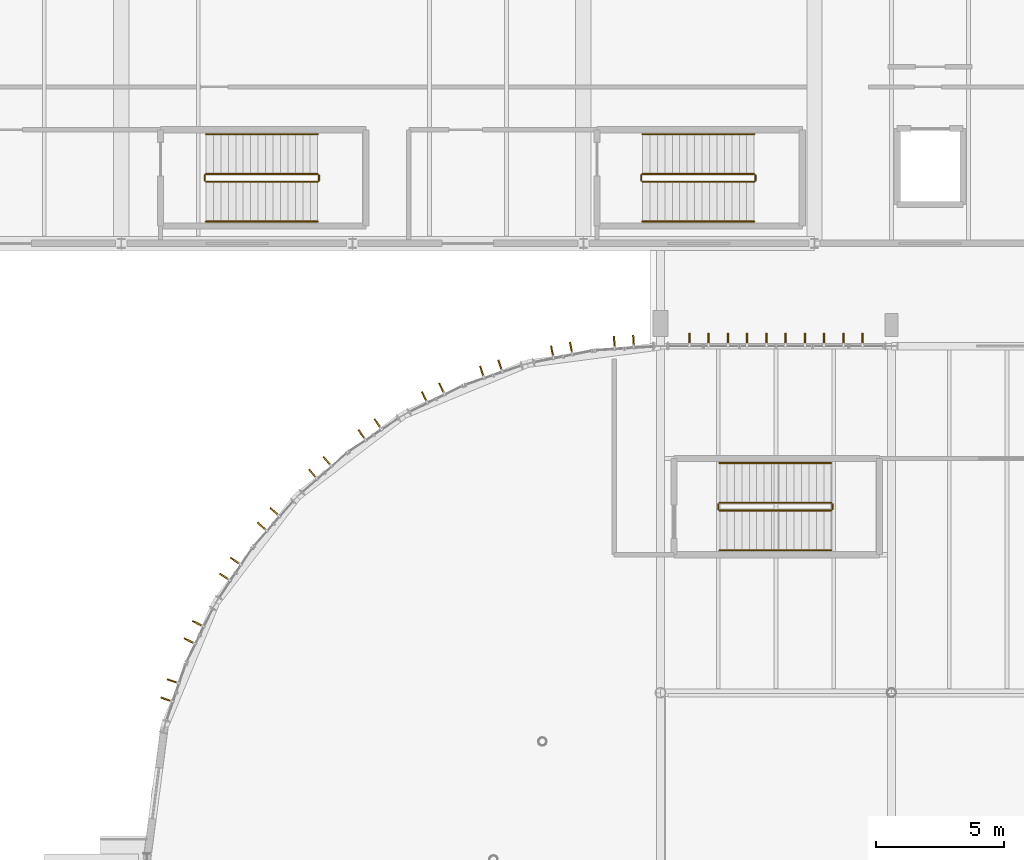
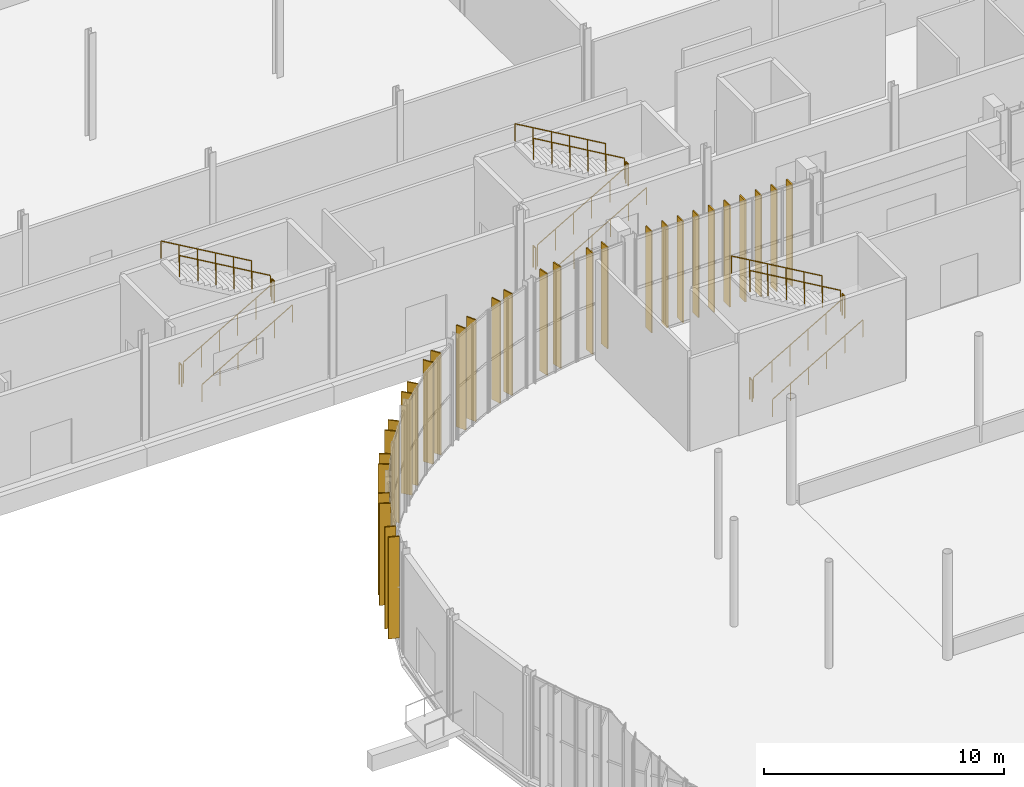
# One storey, part 148 of 158: 30 coverings, 18 railings.
"""IFC4 building model written with IfcOpenShell, lengths in metres."""

from ifc_helpers import new_model, si_unit, derived_unit, direction, frame, origin, origin_2d, place, context, subcontext, project, spatial, rectangle, circle, extrude, material, layer, layer_set, type_object, element, save


model = new_model("IFC4")

# Units and contexts
model_context = context("Model", 3, precision=1e-05, world=origin(), true_north=direction((0.0, 1.0)))
body_context = subcontext(model_context, "Body", "Model", "MODEL_VIEW")
ifc_project = project(units=[si_unit("LENGTHUNIT", "METRE"), si_unit("AREAUNIT", "SQUARE_METRE"), si_unit("VOLUMEUNIT", "CUBIC_METRE"), si_unit("PLANEANGLEUNIT", "RADIAN"), si_unit("MASSUNIT", "GRAM", prefix="KILO"), si_unit("THERMODYNAMICTEMPERATUREUNIT", "KELVIN"), si_unit("TIMEUNIT", "SECOND"), derived_unit("THERMALTRANSMITTANCEUNIT", [(si_unit("MASSUNIT", "GRAM", prefix="KILO"), 1), (si_unit("THERMODYNAMICTEMPERATUREUNIT", "KELVIN"), -1), (si_unit("TIMEUNIT", "SECOND"), -3)])], contexts=[model_context])

# Site, building, storey
site_placement = place(None, origin())
site = spatial("IfcSite", under=ifc_project, at=site_placement, CompositionType="ELEMENT")
building_placement = place(site_placement, origin())
building = spatial("IfcBuilding", under=site, at=building_placement, Name="Cambertide Market Hall", CompositionType="ELEMENT")
storey_placement = place(building_placement, origin())
storey = spatial("IfcBuildingStorey", under=building, at=storey_placement, Name="L01", CompositionType="ELEMENT", Elevation=0.0)

# Railings
ifc_material_1 = material(Name="Stainless Steel Grade 316", Category="metal")
railing_type_1 = type_object("IfcRailingType", Name="Stair Wall Handrail 900", PredefinedType="HANDRAIL", material=ifc_material_1)
railing_1_placement = place(storey_placement, frame((44.300048828125, 84.050048828125, 0.168701171875)))
element("IfcRailing", 1, at=railing_1_placement, inside=storey, type_object=railing_type_1, Name="Level 1 ST-01 stair handrail 1", PredefinedType="HANDRAIL", context=body_context, shape_type="SweptSolid", body=[
    extrude(circle(Radius=0.02392578125, at=origin_2d()), frame((0.0, 0.0, 0.8759765625), z_axis=(0.864311530196, 0.0, 0.502956835891), x_axis=(0.0, 1.0, 0.0)), (0.0, 0.0, 1.0), 5.03271484375),
    extrude(circle(Radius=0.02099609375, at=origin_2d()), origin(), (0.0, 0.0, 1.0), 0.851806640625),
    extrude(circle(Radius=0.02099609375, at=origin_2d()), frame((0.869873046875, 0.0, 0.50634765625)), (0.0, 0.0, 1.0), 0.851806640625),
    extrude(circle(Radius=0.02099609375, at=origin_2d()), frame((1.739990234375, 0.0, 1.012451171875)), (0.0, 0.0, 1.0), 0.851806640625),
    extrude(circle(Radius=0.02099609375, at=origin_2d()), frame((2.60986328125, 0.0, 1.518798828125)), (0.0, 0.0, 1.0), 0.851806640625),
    extrude(circle(Radius=0.02099609375, at=origin_2d()), frame((3.47998046875, 0.0, 2.02490234375)), (0.0, 0.0, 1.0), 0.851806640625),
    extrude(circle(Radius=0.02099609375, at=origin_2d()), frame((4.349853515625, 0.0, 2.53125)), (0.0, 0.0, 1.0), 0.851806640625),
])
railing_2_placement = place(storey_placement, frame((48.64990234375, 87.449951171875, 2.86865234375)))
element("IfcRailing", 2, at=railing_2_placement, inside=storey, type_object=railing_type_1, Name="Level 1 ST-01 stair handrail 2", PredefinedType="HANDRAIL", context=body_context, shape_type="SweptSolid", body=[
    extrude(circle(Radius=0.02392578125, at=origin_2d()), frame((0.0, 0.0, 0.8759765625), z_axis=(-0.864311530196, 0.0, 0.502956835891), x_axis=(0.0, -1.0, 0.0)), (0.0, 0.0, 1.0), 5.03271484375),
    extrude(circle(Radius=0.02099609375, at=origin_2d()), origin(), (0.0, 0.0, 1.0), 0.851806640625),
    extrude(circle(Radius=0.02099609375, at=origin_2d()), frame((-0.869873046875, 0.0, 0.50634765625)), (0.0, 0.0, 1.0), 0.851806640625),
    extrude(circle(Radius=0.02099609375, at=origin_2d()), frame((-1.739990234375, 0.0, 1.012451171875)), (0.0, 0.0, 1.0), 0.851806640625),
    extrude(circle(Radius=0.02099609375, at=origin_2d()), frame((-2.60986328125, 0.0, 1.518798828125)), (0.0, 0.0, 1.0), 0.851806640625),
    extrude(circle(Radius=0.02099609375, at=origin_2d()), frame((-3.47998046875, 0.0, 2.02490234375)), (0.0, 0.0, 1.0), 0.851806640625),
    extrude(circle(Radius=0.02099609375, at=origin_2d()), frame((-4.349853515625, 0.0, 2.53125)), (0.0, 0.0, 1.0), 0.851806640625),
])
railing_3_placement = place(storey_placement, frame((24.300048828125, 96.85009765625, 0.168701171875)))
element("IfcRailing", 3, at=railing_3_placement, inside=storey, type_object=railing_type_1, Name="Level 1 ST-03 stair handrail 1", PredefinedType="HANDRAIL", context=body_context, shape_type="SweptSolid", body=[
    extrude(circle(Radius=0.02392578125, at=origin_2d()), frame((0.0, 0.0, 0.8759765625), z_axis=(0.864311530196, 0.0, 0.502956835891), x_axis=(0.0, 1.0, 0.0)), (0.0, 0.0, 1.0), 5.03271484375),
    extrude(circle(Radius=0.02099609375, at=origin_2d()), origin(), (0.0, 0.0, 1.0), 0.851806640625),
    extrude(circle(Radius=0.02099609375, at=origin_2d()), frame((0.869873046875, 0.0, 0.50634765625)), (0.0, 0.0, 1.0), 0.851806640625),
    extrude(circle(Radius=0.02099609375, at=origin_2d()), frame((1.739990234375, 0.0, 1.012451171875)), (0.0, 0.0, 1.0), 0.851806640625),
    extrude(circle(Radius=0.02099609375, at=origin_2d()), frame((2.60986328125, 0.0, 1.518798828125)), (0.0, 0.0, 1.0), 0.851806640625),
    extrude(circle(Radius=0.02099609375, at=origin_2d()), frame((3.47998046875, 0.0, 2.02490234375)), (0.0, 0.0, 1.0), 0.851806640625),
    extrude(circle(Radius=0.02099609375, at=origin_2d()), frame((4.349853515625, 0.0, 2.53125)), (0.0, 0.0, 1.0), 0.851806640625),
])
railing_4_placement = place(storey_placement, frame((28.64990234375, 100.25, 2.86865234375)))
element("IfcRailing", 4, at=railing_4_placement, inside=storey, type_object=railing_type_1, Name="Level 1 ST-03 stair handrail 2", PredefinedType="HANDRAIL", context=body_context, shape_type="SweptSolid", body=[
    extrude(circle(Radius=0.02392578125, at=origin_2d()), frame((0.0, 0.0, 0.8759765625), z_axis=(-0.864311530196, 0.0, 0.502956835891), x_axis=(0.0, -1.0, 0.0)), (0.0, 0.0, 1.0), 5.03271484375),
    extrude(circle(Radius=0.02099609375, at=origin_2d()), origin(), (0.0, 0.0, 1.0), 0.851806640625),
    extrude(circle(Radius=0.02099609375, at=origin_2d()), frame((-0.869873046875, 0.0, 0.50634765625)), (0.0, 0.0, 1.0), 0.851806640625),
    extrude(circle(Radius=0.02099609375, at=origin_2d()), frame((-1.739990234375, 0.0, 1.012451171875)), (0.0, 0.0, 1.0), 0.851806640625),
    extrude(circle(Radius=0.02099609375, at=origin_2d()), frame((-2.60986328125, 0.0, 1.518798828125)), (0.0, 0.0, 1.0), 0.851806640625),
    extrude(circle(Radius=0.02099609375, at=origin_2d()), frame((-3.47998046875, 0.0, 2.02490234375)), (0.0, 0.0, 1.0), 0.851806640625),
    extrude(circle(Radius=0.02099609375, at=origin_2d()), frame((-4.349853515625, 0.0, 2.53125)), (0.0, 0.0, 1.0), 0.851806640625),
])
railing_5_placement = place(storey_placement, frame((41.300048828125, 96.85009765625, 0.168701171875)))
element("IfcRailing", 5, at=railing_5_placement, inside=storey, type_object=railing_type_1, Name="Level 1 ST-03B stair handrail 1", PredefinedType="HANDRAIL", context=body_context, shape_type="SweptSolid", body=[
    extrude(circle(Radius=0.02392578125, at=origin_2d()), frame((0.0, 0.0, 0.8759765625), z_axis=(0.864311530196, 0.0, 0.502956835891), x_axis=(0.0, 1.0, 0.0)), (0.0, 0.0, 1.0), 5.03271484375),
    extrude(circle(Radius=0.02099609375, at=origin_2d()), origin(), (0.0, 0.0, 1.0), 0.851806640625),
    extrude(circle(Radius=0.02099609375, at=origin_2d()), frame((0.869873046875, 0.0, 0.50634765625)), (0.0, 0.0, 1.0), 0.851806640625),
    extrude(circle(Radius=0.02099609375, at=origin_2d()), frame((1.739990234375, 0.0, 1.012451171875)), (0.0, 0.0, 1.0), 0.851806640625),
    extrude(circle(Radius=0.02099609375, at=origin_2d()), frame((2.60986328125, 0.0, 1.518798828125)), (0.0, 0.0, 1.0), 0.851806640625),
    extrude(circle(Radius=0.02099609375, at=origin_2d()), frame((3.47998046875, 0.0, 2.02490234375)), (0.0, 0.0, 1.0), 0.851806640625),
    extrude(circle(Radius=0.02099609375, at=origin_2d()), frame((4.349853515625, 0.0, 2.53125)), (0.0, 0.0, 1.0), 0.851806640625),
])
railing_6_placement = place(storey_placement, frame((45.64990234375, 100.25, 2.86865234375)))
element("IfcRailing", 6, at=railing_6_placement, inside=storey, type_object=railing_type_1, Name="Level 1 ST-03B stair handrail 2", PredefinedType="HANDRAIL", context=body_context, shape_type="SweptSolid", body=[
    extrude(circle(Radius=0.02392578125, at=origin_2d()), frame((0.0, 0.0, 0.8759765625), z_axis=(-0.864311530196, 0.0, 0.502956835891), x_axis=(0.0, -1.0, 0.0)), (0.0, 0.0, 1.0), 5.03271484375),
    extrude(circle(Radius=0.02099609375, at=origin_2d()), origin(), (0.0, 0.0, 1.0), 0.851806640625),
    extrude(circle(Radius=0.02099609375, at=origin_2d()), frame((-0.869873046875, 0.0, 0.50634765625)), (0.0, 0.0, 1.0), 0.851806640625),
    extrude(circle(Radius=0.02099609375, at=origin_2d()), frame((-1.739990234375, 0.0, 1.012451171875)), (0.0, 0.0, 1.0), 0.851806640625),
    extrude(circle(Radius=0.02099609375, at=origin_2d()), frame((-2.60986328125, 0.0, 1.518798828125)), (0.0, 0.0, 1.0), 0.851806640625),
    extrude(circle(Radius=0.02099609375, at=origin_2d()), frame((-3.47998046875, 0.0, 2.02490234375)), (0.0, 0.0, 1.0), 0.851806640625),
    extrude(circle(Radius=0.02099609375, at=origin_2d()), frame((-4.349853515625, 0.0, 2.53125)), (0.0, 0.0, 1.0), 0.851806640625),
])
ifc_material_2 = material(Name="Stainless Steel Grade 316", Category="metal")
railing_type_2 = type_object("IfcRailingType", Name="Stairwell Inner Guardrail 1100", PredefinedType="GUARDRAIL", material=ifc_material_2)
railing_7_placement = place(storey_placement, frame((44.300048828125, 85.60009765625, 0.168701171875)))
element("IfcRailing", 7, at=railing_7_placement, inside=storey, type_object=railing_type_2, Name="Level 1 ST-01 stair guard 1", PredefinedType="GUARDRAIL", context=body_context, shape_type="SweptSolid", body=[
    extrude(circle(Radius=0.02392578125, at=origin_2d()), frame((0.0, 0.0, 1.076171875), z_axis=(0.864311530196, 0.0, 0.502956835891), x_axis=(0.0, 1.0, 0.0)), (0.0, 0.0, 1.0), 5.03271484375),
    extrude(circle(Radius=0.02099609375, at=origin_2d()), origin(), (0.0, 0.0, 1.0), 1.052001953125),
    extrude(circle(Radius=0.02099609375, at=origin_2d()), frame((0.869873046875, 0.0, 0.50634765625)), (0.0, 0.0, 1.0), 1.052001953125),
    extrude(circle(Radius=0.02099609375, at=origin_2d()), frame((1.739990234375, 0.0, 1.012451171875)), (0.0, 0.0, 1.0), 1.052001953125),
    extrude(circle(Radius=0.02099609375, at=origin_2d()), frame((2.60986328125, 0.0, 1.518798828125)), (0.0, 0.0, 1.0), 1.052001953125),
    extrude(circle(Radius=0.02099609375, at=origin_2d()), frame((3.47998046875, 0.0, 2.02490234375)), (0.0, 0.0, 1.0), 1.052001953125),
    extrude(circle(Radius=0.02099609375, at=origin_2d()), frame((4.349853515625, 0.0, 2.53125)), (0.0, 0.0, 1.0), 1.052001953125),
])
railing_8_placement = place(storey_placement, frame((48.699951171875, 85.64990234375, 2.699951171875)))
element("IfcRailing", 8, at=railing_8_placement, inside=storey, type_object=railing_type_2, Name="Level 1 ST-01 stair guard 2", PredefinedType="GUARDRAIL", context=body_context, shape_type="SweptSolid", body=[
    extrude(circle(Radius=0.02392578125, at=origin_2d()), frame((0.0, 0.0, 1.076171875), z_axis=(0.0, 1.0, 0.0), x_axis=(-1.0, 0.0, 0.0)), (0.0, 0.0, 1.0), 0.2001953125),
    extrude(circle(Radius=0.02099609375, at=origin_2d()), origin(), (0.0, 0.0, 1.0), 1.052001953125),
    extrude(circle(Radius=0.02099609375, at=origin_2d()), frame((0.0, 0.2001953125, 0.0)), (0.0, 0.0, 1.0), 1.052001953125),
])
railing_9_placement = place(storey_placement, frame((48.64990234375, 85.89990234375, 2.86865234375)))
element("IfcRailing", 9, at=railing_9_placement, inside=storey, type_object=railing_type_2, Name="Level 1 ST-01 stair guard 3", PredefinedType="GUARDRAIL", context=body_context, shape_type="SweptSolid", body=[
    extrude(circle(Radius=0.02392578125, at=origin_2d()), frame((0.0, 0.0, 1.076171875), z_axis=(-0.864311530196, 0.0, 0.502956835891), x_axis=(0.0, -1.0, 0.0)), (0.0, 0.0, 1.0), 5.03271484375),
    extrude(circle(Radius=0.02099609375, at=origin_2d()), origin(), (0.0, 0.0, 1.0), 1.052001953125),
    extrude(circle(Radius=0.02099609375, at=origin_2d()), frame((-0.869873046875, 0.0, 0.50634765625)), (0.0, 0.0, 1.0), 1.052001953125),
    extrude(circle(Radius=0.02099609375, at=origin_2d()), frame((-1.739990234375, 0.0, 1.012451171875)), (0.0, 0.0, 1.0), 1.052001953125),
    extrude(circle(Radius=0.02099609375, at=origin_2d()), frame((-2.60986328125, 0.0, 1.518798828125)), (0.0, 0.0, 1.0), 1.052001953125),
    extrude(circle(Radius=0.02099609375, at=origin_2d()), frame((-3.47998046875, 0.0, 2.02490234375)), (0.0, 0.0, 1.0), 1.052001953125),
    extrude(circle(Radius=0.02099609375, at=origin_2d()), frame((-4.349853515625, 0.0, 2.53125)), (0.0, 0.0, 1.0), 1.052001953125),
])
railing_10_placement = place(storey_placement, frame((44.25, 85.64990234375, 0.0)))
element("IfcRailing", 10, at=railing_10_placement, inside=storey, type_object=railing_type_2, Name="Level 1 ST-01 stair guard 4", PredefinedType="GUARDRAIL", context=body_context, shape_type="SweptSolid", body=[
    extrude(circle(Radius=0.02392578125, at=origin_2d()), frame((0.0, 0.0, 1.076171875), z_axis=(0.0, 1.0, 0.0), x_axis=(-1.0, 0.0, 0.0)), (0.0, 0.0, 1.0), 0.2001953125),
    extrude(circle(Radius=0.02099609375, at=origin_2d()), origin(), (0.0, 0.0, 1.0), 1.052001953125),
    extrude(circle(Radius=0.02099609375, at=origin_2d()), frame((0.0, 0.2001953125, 0.0)), (0.0, 0.0, 1.0), 1.052001953125),
])
railing_11_placement = place(storey_placement, frame((24.300048828125, 98.39990234375, 0.168701171875)))
element("IfcRailing", 11, at=railing_11_placement, inside=storey, type_object=railing_type_2, Name="Level 1 ST-03 stair guard 1", PredefinedType="GUARDRAIL", context=body_context, shape_type="SweptSolid", body=[
    extrude(circle(Radius=0.02392578125, at=origin_2d()), frame((0.0, 0.0, 1.076171875), z_axis=(0.864311530196, 0.0, 0.502956835891), x_axis=(0.0, 1.0, 0.0)), (0.0, 0.0, 1.0), 5.03271484375),
    extrude(circle(Radius=0.02099609375, at=origin_2d()), origin(), (0.0, 0.0, 1.0), 1.052001953125),
    extrude(circle(Radius=0.02099609375, at=origin_2d()), frame((0.869873046875, 0.0, 0.50634765625)), (0.0, 0.0, 1.0), 1.052001953125),
    extrude(circle(Radius=0.02099609375, at=origin_2d()), frame((1.739990234375, 0.0, 1.012451171875)), (0.0, 0.0, 1.0), 1.052001953125),
    extrude(circle(Radius=0.02099609375, at=origin_2d()), frame((2.60986328125, 0.0, 1.518798828125)), (0.0, 0.0, 1.0), 1.052001953125),
    extrude(circle(Radius=0.02099609375, at=origin_2d()), frame((3.47998046875, 0.0, 2.02490234375)), (0.0, 0.0, 1.0), 1.052001953125),
    extrude(circle(Radius=0.02099609375, at=origin_2d()), frame((4.349853515625, 0.0, 2.53125)), (0.0, 0.0, 1.0), 1.052001953125),
])
railing_12_placement = place(storey_placement, frame((28.699951171875, 98.449951171875, 2.699951171875)))
element("IfcRailing", 12, at=railing_12_placement, inside=storey, type_object=railing_type_2, Name="Level 1 ST-03 stair guard 2", PredefinedType="GUARDRAIL", context=body_context, shape_type="SweptSolid", body=[
    extrude(circle(Radius=0.02392578125, at=origin_2d()), frame((0.0, 0.0, 1.076171875), z_axis=(0.0, 1.0, 0.0), x_axis=(-1.0, 0.0, 0.0)), (0.0, 0.0, 1.0), 0.199951171875),
    extrude(circle(Radius=0.02099609375, at=origin_2d()), origin(), (0.0, 0.0, 1.0), 1.052001953125),
    extrude(circle(Radius=0.02099609375, at=origin_2d()), frame((0.0, 0.199951171875, 0.0)), (0.0, 0.0, 1.0), 1.052001953125),
])
railing_13_placement = place(storey_placement, frame((28.64990234375, 98.699951171875, 2.86865234375)))
element("IfcRailing", 13, at=railing_13_placement, inside=storey, type_object=railing_type_2, Name="Level 1 ST-03 stair guard 3", PredefinedType="GUARDRAIL", context=body_context, shape_type="SweptSolid", body=[
    extrude(circle(Radius=0.02392578125, at=origin_2d()), frame((0.0, 0.0, 1.076171875), z_axis=(-0.864311530196, 0.0, 0.502956835891), x_axis=(0.0, -1.0, 0.0)), (0.0, 0.0, 1.0), 5.03271484375),
    extrude(circle(Radius=0.02099609375, at=origin_2d()), origin(), (0.0, 0.0, 1.0), 1.052001953125),
    extrude(circle(Radius=0.02099609375, at=origin_2d()), frame((-0.869873046875, 0.0, 0.50634765625)), (0.0, 0.0, 1.0), 1.052001953125),
    extrude(circle(Radius=0.02099609375, at=origin_2d()), frame((-1.739990234375, 0.0, 1.012451171875)), (0.0, 0.0, 1.0), 1.052001953125),
    extrude(circle(Radius=0.02099609375, at=origin_2d()), frame((-2.60986328125, 0.0, 1.518798828125)), (0.0, 0.0, 1.0), 1.052001953125),
    extrude(circle(Radius=0.02099609375, at=origin_2d()), frame((-3.47998046875, 0.0, 2.02490234375)), (0.0, 0.0, 1.0), 1.052001953125),
    extrude(circle(Radius=0.02099609375, at=origin_2d()), frame((-4.349853515625, 0.0, 2.53125)), (0.0, 0.0, 1.0), 1.052001953125),
])
railing_14_placement = place(storey_placement, frame((24.25, 98.449951171875, 0.0)))
element("IfcRailing", 14, at=railing_14_placement, inside=storey, type_object=railing_type_2, Name="Level 1 ST-03 stair guard 4", PredefinedType="GUARDRAIL", context=body_context, shape_type="SweptSolid", body=[
    extrude(circle(Radius=0.02392578125, at=origin_2d()), frame((0.0, 0.0, 1.076171875), z_axis=(0.0, 1.0, 0.0), x_axis=(-1.0, 0.0, 0.0)), (0.0, 0.0, 1.0), 0.199951171875),
    extrude(circle(Radius=0.02099609375, at=origin_2d()), origin(), (0.0, 0.0, 1.0), 1.052001953125),
    extrude(circle(Radius=0.02099609375, at=origin_2d()), frame((0.0, 0.199951171875, 0.0)), (0.0, 0.0, 1.0), 1.052001953125),
])
railing_15_placement = place(storey_placement, frame((41.300048828125, 98.39990234375, 0.168701171875)))
element("IfcRailing", 15, at=railing_15_placement, inside=storey, type_object=railing_type_2, Name="Level 1 ST-03B stair guard 1", PredefinedType="GUARDRAIL", context=body_context, shape_type="SweptSolid", body=[
    extrude(circle(Radius=0.02392578125, at=origin_2d()), frame((0.0, 0.0, 1.076171875), z_axis=(0.864311530196, 0.0, 0.502956835891), x_axis=(0.0, 1.0, 0.0)), (0.0, 0.0, 1.0), 5.03271484375),
    extrude(circle(Radius=0.02099609375, at=origin_2d()), origin(), (0.0, 0.0, 1.0), 1.052001953125),
    extrude(circle(Radius=0.02099609375, at=origin_2d()), frame((0.869873046875, 0.0, 0.50634765625)), (0.0, 0.0, 1.0), 1.052001953125),
    extrude(circle(Radius=0.02099609375, at=origin_2d()), frame((1.739990234375, 0.0, 1.012451171875)), (0.0, 0.0, 1.0), 1.052001953125),
    extrude(circle(Radius=0.02099609375, at=origin_2d()), frame((2.60986328125, 0.0, 1.518798828125)), (0.0, 0.0, 1.0), 1.052001953125),
    extrude(circle(Radius=0.02099609375, at=origin_2d()), frame((3.47998046875, 0.0, 2.02490234375)), (0.0, 0.0, 1.0), 1.052001953125),
    extrude(circle(Radius=0.02099609375, at=origin_2d()), frame((4.349853515625, 0.0, 2.53125)), (0.0, 0.0, 1.0), 1.052001953125),
])
railing_16_placement = place(storey_placement, frame((45.699951171875, 98.449951171875, 2.699951171875)))
element("IfcRailing", 16, at=railing_16_placement, inside=storey, type_object=railing_type_2, Name="Level 1 ST-03B stair guard 2", PredefinedType="GUARDRAIL", context=body_context, shape_type="SweptSolid", body=[
    extrude(circle(Radius=0.02392578125, at=origin_2d()), frame((0.0, 0.0, 1.076171875), z_axis=(0.0, 1.0, 0.0), x_axis=(-1.0, 0.0, 0.0)), (0.0, 0.0, 1.0), 0.199951171875),
    extrude(circle(Radius=0.02099609375, at=origin_2d()), origin(), (0.0, 0.0, 1.0), 1.052001953125),
    extrude(circle(Radius=0.02099609375, at=origin_2d()), frame((0.0, 0.199951171875, 0.0)), (0.0, 0.0, 1.0), 1.052001953125),
])
railing_17_placement = place(storey_placement, frame((45.64990234375, 98.699951171875, 2.86865234375)))
element("IfcRailing", 17, at=railing_17_placement, inside=storey, type_object=railing_type_2, Name="Level 1 ST-03B stair guard 3", PredefinedType="GUARDRAIL", context=body_context, shape_type="SweptSolid", body=[
    extrude(circle(Radius=0.02392578125, at=origin_2d()), frame((0.0, 0.0, 1.076171875), z_axis=(-0.864311530196, 0.0, 0.502956835891), x_axis=(0.0, -1.0, 0.0)), (0.0, 0.0, 1.0), 5.03271484375),
    extrude(circle(Radius=0.02099609375, at=origin_2d()), origin(), (0.0, 0.0, 1.0), 1.052001953125),
    extrude(circle(Radius=0.02099609375, at=origin_2d()), frame((-0.869873046875, 0.0, 0.50634765625)), (0.0, 0.0, 1.0), 1.052001953125),
    extrude(circle(Radius=0.02099609375, at=origin_2d()), frame((-1.739990234375, 0.0, 1.012451171875)), (0.0, 0.0, 1.0), 1.052001953125),
    extrude(circle(Radius=0.02099609375, at=origin_2d()), frame((-2.60986328125, 0.0, 1.518798828125)), (0.0, 0.0, 1.0), 1.052001953125),
    extrude(circle(Radius=0.02099609375, at=origin_2d()), frame((-3.47998046875, 0.0, 2.02490234375)), (0.0, 0.0, 1.0), 1.052001953125),
    extrude(circle(Radius=0.02099609375, at=origin_2d()), frame((-4.349853515625, 0.0, 2.53125)), (0.0, 0.0, 1.0), 1.052001953125),
])
railing_18_placement = place(storey_placement, frame((41.25, 98.449951171875, 0.0)))
element("IfcRailing", 18, at=railing_18_placement, inside=storey, type_object=railing_type_2, Name="Level 1 ST-03B stair guard 4", PredefinedType="GUARDRAIL", context=body_context, shape_type="SweptSolid", body=[
    extrude(circle(Radius=0.02392578125, at=origin_2d()), frame((0.0, 0.0, 1.076171875), z_axis=(0.0, 1.0, 0.0), x_axis=(-1.0, 0.0, 0.0)), (0.0, 0.0, 1.0), 0.199951171875),
    extrude(circle(Radius=0.02099609375, at=origin_2d()), origin(), (0.0, 0.0, 1.0), 1.052001953125),
    extrude(circle(Radius=0.02099609375, at=origin_2d()), frame((0.0, 0.199951171875, 0.0)), (0.0, 0.0, 1.0), 1.052001953125),
])

# Coverings
ifc_material_3 = material(Name="White Marine Anodized Aluminium 6063-T6 AA25", Category="aluminium")
ifc_layer = layer(ifc_material_3, 0.06005859375, Name="White Anodized Lantern Vertical Fin 480x60")
ifc_layer_set = layer_set([ifc_layer], Name="White Marine Anodized Aluminium 6063-T6 AA25")
covering_type = type_object("IfcCoveringType", Name="White Anodized Lantern Vertical Fin 480x60", PredefinedType="CLADDING", material=ifc_layer_set)
for number, where, z_axis, x_axis, name in (
    (19, (43.125, 92.260009765625, 0.0), (0.0, 0.0, 1.0), (1.0, 0.0, 0.0), "CW-V1N-L01-1 Vertical Fin 1"),
    (20, (43.875, 92.260009765625, 0.0), (0.0, 0.0, 1.0), (1.0, 0.0, 0.0), "CW-V1N-L01-1 Vertical Fin 2"),
    (21, (44.625, 92.260009765625, 0.0), (0.0, 0.0, 1.0), (1.0, 0.0, 0.0), "CW-V1N-L01-1 Vertical Fin 3"),
    (22, (45.375, 92.260009765625, 0.0), (0.0, 0.0, 1.0), (1.0, 0.0, 0.0), "CW-V1N-L01-1 Vertical Fin 4"),
    (23, (46.125, 92.260009765625, 0.0), (0.0, 0.0, 1.0), (1.0, 0.0, 0.0), "CW-V1N-L01-1 Vertical Fin 5"),
    (24, (46.875, 92.260009765625, 0.0), (0.0, 0.0, 1.0), (1.0, 0.0, 0.0), "CW-V1N-L01-1 Vertical Fin 6"),
    (25, (47.625, 92.260009765625, 0.0), (0.0, 0.0, 1.0), (1.0, 0.0, 0.0), "CW-V1N-L01-1 Vertical Fin 7"),
    (26, (48.375, 92.260009765625, 0.0), (0.0, 0.0, 1.0), (1.0, 0.0, 0.0), "CW-V1N-L01-1 Vertical Fin 8"),
    (27, (49.125, 92.260009765625, 0.0), (0.0, 0.0, 1.0), (1.0, 0.0, 0.0), "CW-V1N-L01-1 Vertical Fin 9"),
    (28, (49.875, 92.260009765625, 0.0), (0.0, 0.0, 1.0), (1.0, 0.0, 0.0), "CW-V1N-L01-1 Vertical Fin 10"),
    (29, (40.203857421875, 92.142822265625, 0.0), (0.0, 0.0, 1.0), (0.997858917819, 0.065403211921, 0.0), "CW-V1AW-L01-01 Vertical Fin 1"),
    (30, (40.9521484375, 92.19189453125, 0.0), (0.0, 0.0, 1.0), (0.997858917819, 0.065403211921, 0.0), "CW-V1AW-L01-01 Vertical Fin 2"),
    (31, (37.7861328125, 91.775146484375, 0.0), (0.0, 0.0, 1.0), (0.980785330885, 0.195090068226, 0.0), "CW-V1AW-L01-02 Vertical Fin 1"),
    (32, (38.521728515625, 91.92138671875, 0.0), (0.0, 0.0, 1.0), (0.980785330885, 0.195090068226, 0.0), "CW-V1AW-L01-02 Vertical Fin 2"),
    (33, (35.051513671875, 90.991455078125, 0.0), (0.0, 0.0, 1.0), (0.94693012508, 0.32143947831, 0.0), "CW-V1AW-L01-03 Vertical Fin 1"),
    (34, (35.76171875, 91.232666015625, 0.0), (0.0, 0.0, 1.0), (0.94693012508, 0.32143947831, 0.0), "CW-V1AW-L01-03 Vertical Fin 2"),
    (35, (32.8115234375, 90.010498046875, 0.0), (0.0, 0.0, 1.0), (0.896872650645, 0.442288874522, 0.0), "CW-V1AW-L01-04 Vertical Fin 1"),
    (36, (33.484130859375, 90.34228515625, 0.0), (0.0, 0.0, 1.0), (0.896872650645, 0.442288874522, 0.0), "CW-V1AW-L01-04 Vertical Fin 2"),
    (37, (30.373046875, 88.546142578125, 0.0), (0.0, 0.0, 1.0), (0.831469709481, 0.555570087582, 0.0), "CW-V1AW-L01-05 Vertical Fin 1"),
    (38, (30.99658203125, 88.962646484375, 0.0), (0.0, 0.0, 1.0), (0.831469709481, 0.555570087582, 0.0), "CW-V1AW-L01-05 Vertical Fin 2"),
    (39, (28.463134765625, 87.018798828125, 0.0), (0.0, 0.0, 1.0), (0.751839834741, 0.659345784014, 0.0), "CW-V1AW-L01-06 Vertical Fin 1"),
    (40, (29.027099609375, 87.51318359375, 0.0), (0.0, 0.0, 1.0), (0.751839834741, 0.659345784014, 0.0), "CW-V1AW-L01-06 Vertical Fin 2"),
    (41, (26.48681640625, 84.972900390625, 0.0), (0.0, 0.0, 1.0), (0.659345784014, 0.751839834741, 0.0), "CW-V1AW-L01-07 Vertical Fin 1"),
    (42, (26.981201171875, 85.536865234375, 0.0), (0.0, 0.0, 1.0), (0.659345784014, 0.751839834741, 0.0), "CW-V1AW-L01-07 Vertical Fin 2"),
    (43, (25.037353515625, 83.00341796875, 0.0), (0.0, 0.0, 1.0), (0.555570087582, 0.831469709481, 0.0), "CW-V1AW-L01-08 Vertical Fin 1"),
    (44, (25.453857421875, 83.626953125, 0.0), (0.0, 0.0, 1.0), (0.555570087582, 0.831469709481, 0.0), "CW-V1AW-L01-08 Vertical Fin 2"),
    (45, (23.65771484375, 80.515869140625, 0.0), (0.0, 0.0, 1.0), (0.442288874522, 0.896872650645, 0.0), "CW-V1AW-L01-09 Vertical Fin 1"),
    (46, (23.989501953125, 81.1884765625, 0.0), (0.0, 0.0, 1.0), (0.442288874522, 0.896872650645, 0.0), "CW-V1AW-L01-09 Vertical Fin 2"),
    (47, (22.767333984375, 78.23828125, 0.0), (0.0, 0.0, 1.0), (0.32143947831, 0.94693012508, 0.0), "CW-V1AW-L01-10 Vertical Fin 1"),
    (48, (23.008544921875, 78.948486328125, 0.0), (0.0, 0.0, 1.0), (0.32143947831, 0.94693012508, 0.0), "CW-V1AW-L01-10 Vertical Fin 2"),
):
    element("IfcCovering", number, at=place(storey_placement, frame(where, z_axis=z_axis, x_axis=x_axis)), inside=storey, type_object=covering_type, Name=name, PredefinedType="CLADDING", context=body_context, shape_type="SweptSolid", body=[
        extrude(rectangle(XDim=0.06005859375, YDim=0.47998046875, at=origin_2d()), origin(), (0.0, 0.0, 1.0), 5.159912109375),
    ])

save(model, "model.ifc")
